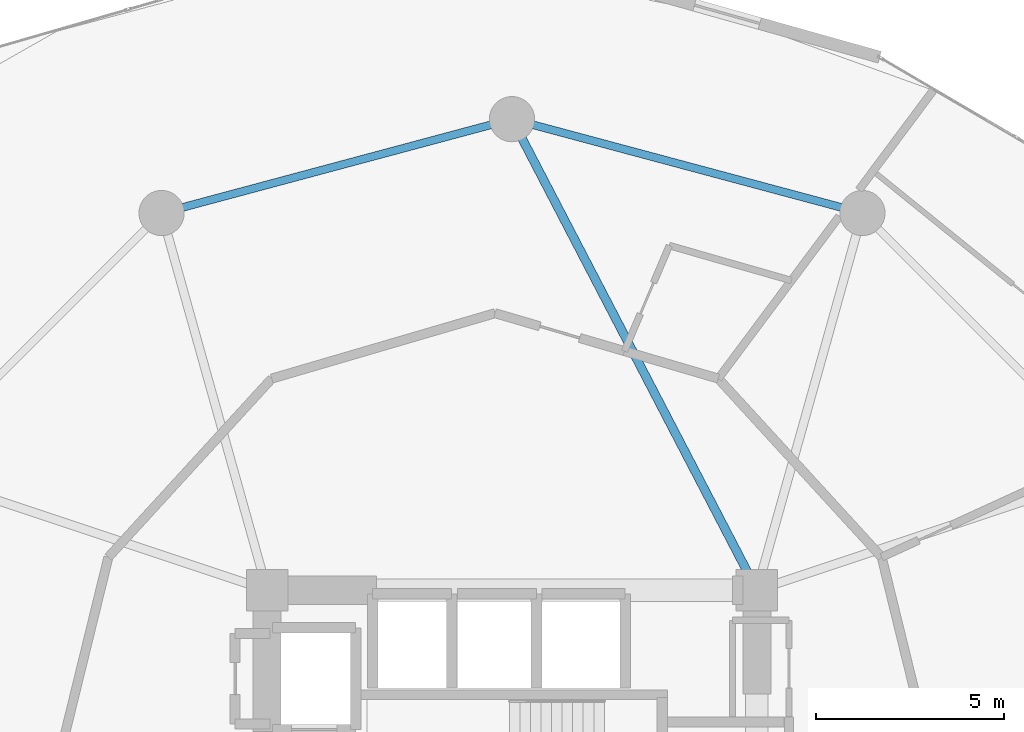
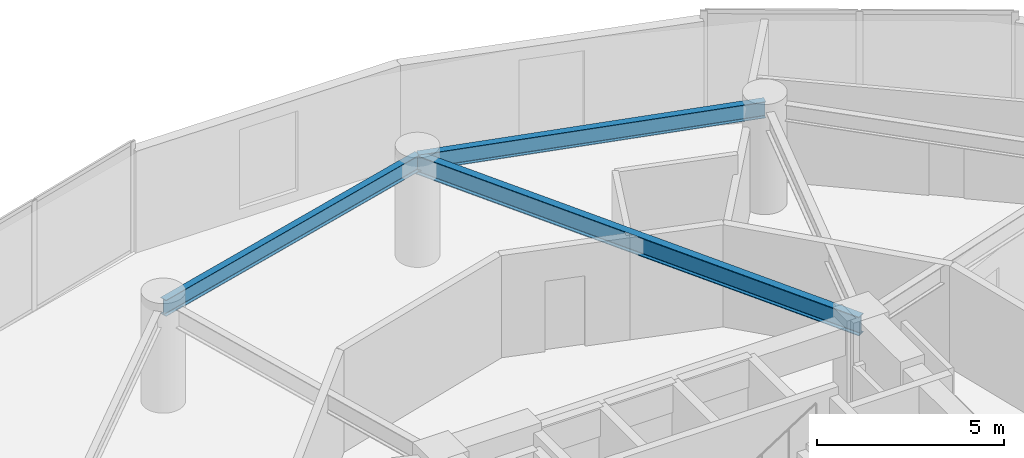
# One storey, part 15 of 24: 3 beams.
"""IFC4 building model written with IfcOpenShell, lengths in metres."""

import ifcopenshell
import ifcopenshell.guid

model = None  # the IFC model being written
_history = None  # IfcOwnerHistory: only IFC2X3 demands one
_inside = {}  # id of a spatial element -> (the spatial element, [elements in it])
_under = {}  # id of a project, library or spatial element -> (it, [spatial elements below it])
_declared = {}  # id of a project -> (the project, [libraries it declares])
_typed = {}  # id of a type object -> (the type object, [elements of that type])
_made_of = {}  # id of a material, layer set ... -> (it, [elements and type objects made of it])


def new_model(schema):
    """Start an empty IFC model of exactly this schema.

    Asked for "IFC4X3", IfcOpenShell would pick the latest addendum, in which some entities
    have other attributes; the version numbers below select the first issue.
    IFC2X3 requires an IfcOwnerHistory on every rooted entity: one is made here for all.
    """
    global model, _history
    if schema == "IFC4X3":
        model = ifcopenshell.file(schema_version=(4, 3, 0, 0))
    else:
        model = ifcopenshell.file(schema=schema)
    _inside.clear()
    _under.clear()
    _declared.clear()
    _typed.clear()
    _made_of.clear()
    _history = None
    if model.schema == "IFC2X3":
        org = make("IfcOrganization", Name="unknown")
        user = make(
            "IfcPersonAndOrganization",
            ThePerson=make("IfcPerson", FamilyName="unknown"),
            TheOrganization=org,
        )
        app = make(
            "IfcApplication",
            ApplicationDeveloper=org,
            Version="unknown",
            ApplicationFullName="unknown",
            ApplicationIdentifier="unknown",
        )
        _history = make(
            "IfcOwnerHistory",
            OwningUser=user,
            OwningApplication=app,
            ChangeAction="ADDED",
            CreationDate=0,
        )
    return model


def make(cls, **values):
    """One entity of the class cls with the attributes given. An attribute that is None is left unset."""
    return model.create_entity(
        cls, **{name: value for name, value in values.items() if value is not None}
    )


def rooted(cls, **values):
    """An entity with a GlobalId (a new one), such as an element, a storey or a relation."""
    return make(cls, GlobalId=ifcopenshell.guid.new(), OwnerHistory=_history, **values)


def si_unit(unit_type, name, prefix=None):
    """IfcSIUnit, for example si_unit("LENGTHUNIT", "METRE", prefix="MILLI")."""
    return make("IfcSIUnit", UnitType=unit_type, Prefix=prefix, Name=name)


def assignment(units):
    """IfcUnitAssignment: the units of a project."""
    return None if units is None else make("IfcUnitAssignment", Units=units)


def point(xyz):
    """IfcCartesianPoint."""
    return None if xyz is None else make("IfcCartesianPoint", Coordinates=xyz)


def direction(xyz):
    """IfcDirection."""
    return None if xyz is None else make("IfcDirection", DirectionRatios=xyz)


def frame(location, z_axis=None, x_axis=None):
    """IfcAxis2Placement3D, a coordinate frame: its origin and axes. An axis left out is left unset."""
    return make(
        "IfcAxis2Placement3D",
        Location=point(location),
        Axis=direction(z_axis),
        RefDirection=direction(x_axis),
    )


def frame_2d(location, x_axis=None):
    """IfcAxis2Placement2D, a coordinate frame in the plane: its origin and x axis."""
    return make(
        "IfcAxis2Placement2D", Location=point(location), RefDirection=direction(x_axis)
    )


def origin():
    """The frame at (0, 0, 0) with its axes left unset."""
    return frame((0.0, 0.0, 0.0))


def origin_2d():
    """The frame at (0, 0) in the plane with its x axis left unset."""
    return frame_2d((0.0, 0.0))


def place(relative_to, where):
    """IfcLocalPlacement: puts the frame where relative to a parent placement (None: the world)."""
    return make(
        "IfcLocalPlacement", PlacementRelTo=relative_to, RelativePlacement=where
    )


def context(
    kind, dimensions, precision=None, world=None, true_north=None, identifier=None
):
    """IfcGeometricRepresentationContext, for example the 3D "Model" context."""
    return make(
        "IfcGeometricRepresentationContext",
        ContextIdentifier=identifier,
        ContextType=kind,
        CoordinateSpaceDimension=dimensions,
        Precision=precision,
        WorldCoordinateSystem=world,
        TrueNorth=true_north,
    )


def subcontext(parent, identifier, kind, view, scale=None):
    """IfcGeometricRepresentationSubContext, for example "Body" below "Model"."""
    return make(
        "IfcGeometricRepresentationSubContext",
        ContextIdentifier=identifier,
        ContextType=kind,
        ParentContext=parent,
        TargetScale=scale,
        TargetView=view,
    )


def project(units=None, contexts=None):
    """IfcProject with its units and contexts."""
    return rooted(
        "IfcProject",
        Name="project",
        RepresentationContexts=contexts,
        UnitsInContext=assignment(units),
    )


def spatial(cls, under=None, at=None, **own):
    """A site, building, storey or space (cls), placed at a placement, below another one or the project."""
    s = rooted(cls, ObjectPlacement=at, **own)
    if under is not None:
        _under.setdefault(under.id(), (under, []))[1].append(s)
    return s


def profile(cls, at=None, kind="AREA", **sizes):
    """A parametric profile (cls). Its sizes go by their IFC names, for example OverallWidth=200.0."""
    return make(cls, ProfileType=kind, Position=at, **sizes)


def i_section(**sizes):
    """IfcIShapeProfileDef."""
    return profile("IfcIShapeProfileDef", **sizes)


def extrude(swept, where, along, depth):
    """IfcExtrudedAreaSolid: the profile swept, set in the frame where, extruded along a direction by depth."""
    return make(
        "IfcExtrudedAreaSolid",
        SweptArea=swept,
        Position=where,
        ExtrudedDirection=direction(along),
        Depth=depth,
    )


def shape(context_of_items, identifier, shape_type, items):
    """IfcShapeRepresentation: the items that make up one representation, for example the "Body"."""
    return make(
        "IfcShapeRepresentation",
        ContextOfItems=context_of_items,
        RepresentationIdentifier=identifier,
        RepresentationType=shape_type,
        Items=items,
    )


def material(Name=None, Category=None):
    """IfcMaterial."""
    return make("IfcMaterial", Name=Name, Category=Category)


def material_profile(
    of_material, cross_section, Name=None, Category=None, Priority=None
):
    """IfcMaterialProfile: a cross section and its material."""
    return make(
        "IfcMaterialProfile",
        Name=Name,
        Material=of_material,
        Profile=cross_section,
        Priority=Priority,
        Category=Category,
    )


def profile_set(profiles, Name=None, composite=None):
    """IfcMaterialProfileSet."""
    return make(
        "IfcMaterialProfileSet",
        Name=Name,
        MaterialProfiles=profiles,
        CompositeProfile=composite,
    )


def made_of(thing, what):
    """Note that an element or type object is made of a material, layer set ...; save() writes the relation."""
    if what is not None:
        _made_of.setdefault(what.id(), (what, []))[1].append(thing)
    return thing


def type_object(cls, material=None, **own):
    """A type object (cls), such as IfcWallType, which elements share."""
    return made_of(rooted(cls, **own), material)


def element(
    cls,
    number,
    at=None,
    inside=None,
    cuts=None,
    type_object=None,
    material=None,
    context=None,
    identifier="Body",
    shape_type=None,
    held_by="IfcProductDefinitionShape",
    body=None,
    shapes=None,
    **own,
):
    """One element of the class cls, such as IfcWall. Its Tag is "e" and its number.

    at: its placement. inside: the storey or other place that contains it. cuts: it is an
    opening in that element (IfcRelVoidsElement). A single representation is given by context,
    identifier, shape_type and body (its items); several are given by shapes. held_by: the class
    of the entity that holds the representations. save() writes the other relations.
    """
    e = rooted(cls, Tag="e%d" % number, ObjectPlacement=at, **own)
    if body is not None:
        shapes = [shape(context, identifier, shape_type, body)]
    if shapes is not None:
        e.Representation = make(held_by, Representations=shapes)
    if inside is not None:
        _inside.setdefault(inside.id(), (inside, []))[1].append(e)
    if cuts is not None:
        rooted(
            "IfcRelVoidsElement", RelatingBuildingElement=cuts, RelatedOpeningElement=e
        )
    if type_object is not None:
        _typed.setdefault(type_object.id(), (type_object, []))[1].append(e)
    return made_of(e, material)


def aggregate(whole, parts):
    """IfcRelAggregates: a whole, such as a stair, and the parts it consists of."""
    return rooted("IfcRelAggregates", RelatingObject=whole, RelatedObjects=parts)


def save(model, path):
    """Write the relations noted so far, then the file.

    IfcRelAggregates (storeys below a building ...), IfcRelContainedInSpatialStructure (elements
    in a storey), IfcRelDefinesByType, IfcRelAssociatesMaterial and IfcRelDeclares: one each for
    every whole, place, type object, material and project.
    """
    for whole, parts in _under.values():
        aggregate(whole, parts)
    for where, things in _inside.values():
        rooted(
            "IfcRelContainedInSpatialStructure",
            RelatedElements=things,
            RelatingStructure=where,
        )
    for kind, things in _typed.values():
        rooted("IfcRelDefinesByType", RelatedObjects=things, RelatingType=kind)
    for what, things in _made_of.values():
        rooted("IfcRelAssociatesMaterial", RelatedObjects=things, RelatingMaterial=what)
    for by, libraries in _declared.values():
        rooted("IfcRelDeclares", RelatingContext=by, RelatedDefinitions=libraries)
    model.write(path)


model = new_model("IFC4")

# Units and contexts
model_context = context("Model", 3, precision=1e-05, world=origin(), true_north=direction((0.0, 1.0)))
body_context = subcontext(model_context, "Body", "Model", "MODEL_VIEW")
ifc_project = project(units=[si_unit("LENGTHUNIT", "METRE"), si_unit("AREAUNIT", "SQUARE_METRE"), si_unit("VOLUMEUNIT", "CUBIC_METRE"), si_unit("PLANEANGLEUNIT", "RADIAN"), si_unit("MASSUNIT", "GRAM", prefix="KILO")], contexts=[model_context])

# Site, building, storey
site_placement = place(None, origin())
site = spatial("IfcSite", under=ifc_project, at=site_placement, CompositionType="ELEMENT")
building_placement = place(site_placement, origin())
building = spatial("IfcBuilding", under=site, at=building_placement, Name="Solvirekh Grand Hotel", CompositionType="ELEMENT")
storey_placement = place(building_placement, frame((0.0, 0.0, 82.39990234375)))
storey = spatial("IfcBuildingStorey", under=building, at=storey_placement, Name="L20", CompositionType="ELEMENT", Elevation=82.39990234375)

# Beams
ifc_material = material(Name="Steel S355", Category="steel")
ifc_material_profile_1 = material_profile(ifc_material, i_section(OverallWidth=0.22998046875, OverallDepth=0.615966796875, WebThickness=0.013916015625, FlangeThickness=0.02392578125, FilletRadius=0.014892578125, at=origin_2d()), Name="W610X174")
ifc_profile_set_1 = profile_set([ifc_material_profile_1], Name="Steel S355")
beam_type_1 = type_object("IfcBeamType", Name="Beam_Primary_W610H", PredefinedType="BEAM", material=ifc_profile_set_1)
beam_placement = place(storey_placement, frame((6.5, 6.10009765625, 3.031982421875), z_axis=(-0.461352736642, 0.887216801235, 0.0), x_axis=(-0.887216801235, -0.461352736642, 0.0)))
element("IfcBeam", 1, at=beam_placement, inside=storey, type_object=beam_type_1, Name="L20 radial floor beam R04", PredefinedType="BEAM", context=body_context, shape_type="SweptSolid", body=[
    extrude(i_section(OverallWidth=0.22998046875, OverallDepth=0.615966796875, WebThickness=0.013916015625, FlangeThickness=0.02392578125, FilletRadius=0.014892578125, at=origin_2d()), origin(), (0.0, 0.0, 1.0), 14.089111328125),
])
ifc_material_profile_2 = material_profile(ifc_material, i_section(OverallWidth=0.208984375, OverallDepth=0.532958984375, WebThickness=0.010009765625, FlangeThickness=0.014892578125, FilletRadius=0.013916015625, at=origin_2d()), Name="W530X92")
ifc_profile_set_2 = profile_set([ifc_material_profile_2], Name="Steel S355")
beam_type_2 = type_object("IfcBeamType", Name="Spandrel_Ring_W530", PredefinedType="SPANDREL", material=ifc_profile_set_2)
for number, where, z_axis, x_axis, name in (
    (2, (9.300048828125, 16.10791015625, 3.07421875), (-0.965919414426, 0.258842973314, 0.0), (-0.258842973314, -0.965919414426, 0.0), "L20 perimeter spandrel beam 3"),
    (3, (0.0, 18.60009765625, 3.07421875), (-0.965919414426, -0.258842973314, 0.0), (0.258842973314, -0.965919414426, 0.0), "L20 perimeter spandrel beam 4"),
):
    element("IfcBeam", number, at=place(storey_placement, frame(where, z_axis=z_axis, x_axis=x_axis)), inside=storey, type_object=beam_type_2, Name=name, PredefinedType="SPANDREL", context=body_context, shape_type="SweptSolid", body=[
        extrude(i_section(OverallWidth=0.208984375, OverallDepth=0.532958984375, WebThickness=0.010009765625, FlangeThickness=0.014892578125, FilletRadius=0.013916015625, at=origin_2d()), origin(), (0.0, 0.0, 1.0), 9.628173828125),
    ])

save(model, "model.ifc")
